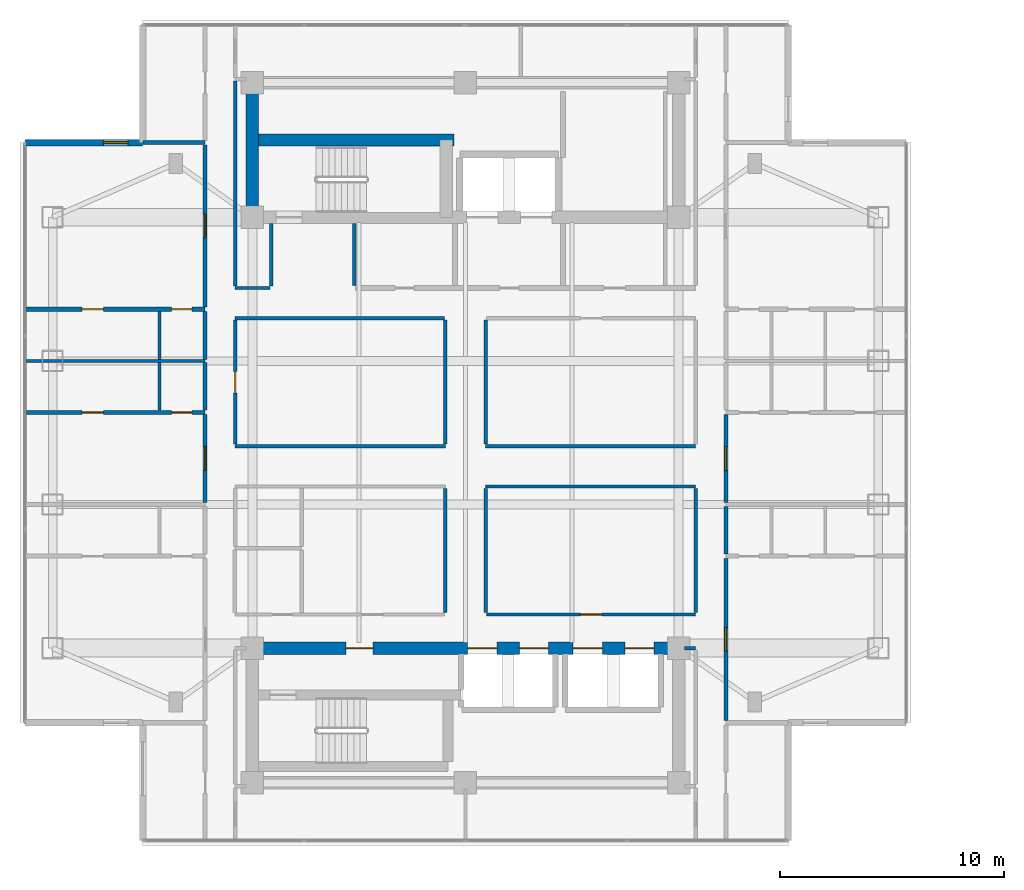
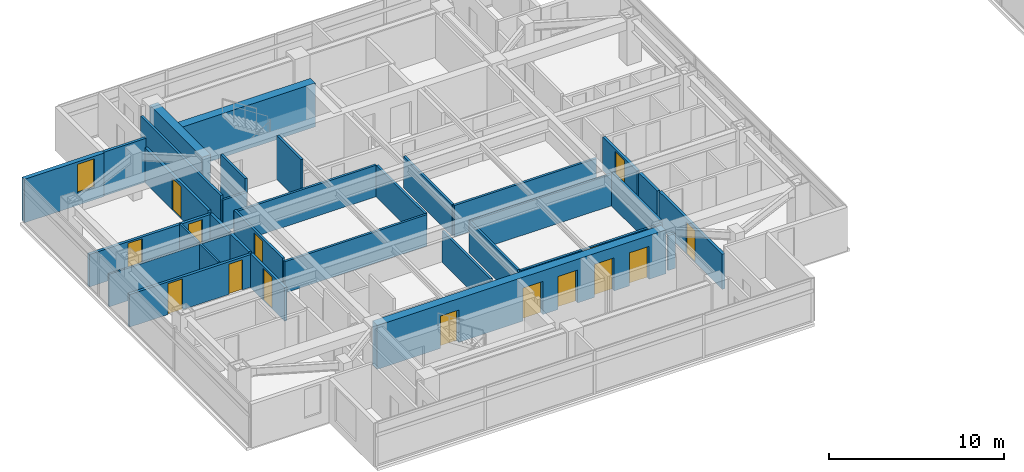
# One storey, part 13 of 24: 33 walls, 15 doors, 1 window, 16 openings.
"""IFC4 building model written with IfcOpenShell, lengths in metres."""

from ifc_helpers import new_model, si_unit, direction, frame, frame_2d, origin, place, context, subcontext, project, spatial, rectangle, extrude, material, layer, layer_set, type_object, element, fill, save


model = new_model("IFC4")

# Units and contexts
model_context = context("Model", 3, precision=1e-05, world=origin(), true_north=direction((0.0, 1.0)))
body_context = subcontext(model_context, "Body", "Model", "MODEL_VIEW")
ifc_project = project(units=[si_unit("LENGTHUNIT", "METRE"), si_unit("AREAUNIT", "SQUARE_METRE"), si_unit("VOLUMEUNIT", "CUBIC_METRE"), si_unit("PLANEANGLEUNIT", "RADIAN"), si_unit("MASSUNIT", "GRAM", prefix="KILO")], contexts=[model_context])

# Site, building, storey
site_placement = place(None, origin())
site = spatial("IfcSite", under=ifc_project, at=site_placement, CompositionType="ELEMENT")
building_placement = place(site_placement, origin())
building = spatial("IfcBuilding", under=site, at=building_placement, Name="Mirazonda Arch Towers", CompositionType="ELEMENT")
storey_placement = place(building_placement, frame((0.0, 0.0, 154.39990234375)))
storey = spatial("IfcBuildingStorey", under=building, at=storey_placement, Name="L43", CompositionType="ELEMENT", Elevation=154.39990234375)

# Walls
ifc_material_1 = material(Name="Concrete C50/60", Category="concrete")
ifc_layer_1 = layer(ifc_material_1, 0.550048828125, Name="WALL-CORE-550")
ifc_layer_set_1 = layer_set([ifc_layer_1], Name="Concrete C50/60")
wall_type_1 = type_object("IfcWallType", Name="WALL-CORE-550", PredefinedType="SHEAR", material=ifc_layer_set_1)
wall_1_placement = place(storey_placement, frame((11.0, 37.60009765625, 0.0), z_axis=(0.0, 0.0, 1.0), x_axis=(0.0, 1.0, 0.0)))
element("IfcWall", 1, at=wall_1_placement, inside=storey, type_object=wall_type_1, Name="L43 T1N-W Core Shear Wall", PredefinedType="SHEAR", context=body_context, shape_type="SweptSolid", body=[
    extrude(rectangle(XDim=6.0, YDim=0.550048828125, at=frame_2d((3.0, 0.0))), origin(), (0.0, 0.0, 1.0), 3.050048828125),
])
wall_2_placement = place(storey_placement, frame((11.0, 41.04296875, 0.0), z_axis=(0.0, 0.0, 1.0), x_axis=(1.0, 0.0, 0.0)))
element("IfcWall", 2, at=wall_2_placement, inside=storey, type_object=wall_type_1, Name="L43 T1N-STN Core Shear Wall", PredefinedType="SHEAR", context=body_context, shape_type="SweptSolid", body=[
    extrude(rectangle(XDim=9.0, YDim=0.550048828125, at=frame_2d((4.5, 0.0))), origin(), (0.0, 0.0, 1.0), 3.050048828125),
])

# Wall, openings, doors
wall_3_placement = place(storey_placement, frame((11.0, 18.39990234375, 0.0), z_axis=(0.0, 0.0, 1.0), x_axis=(1.0, 0.0, 0.0)))
wall_3 = element("IfcWall", 3, at=wall_3_placement, inside=storey, type_object=wall_type_1, Name="L43 T1S-N Core Shear Wall", PredefinedType="SHEAR", context=body_context, shape_type="SweptSolid", body=[
    extrude(rectangle(XDim=19.0, YDim=0.550048828125, at=frame_2d((9.5, 0.0))), origin(), (0.0, 0.0, 1.0), 3.050048828125),
])
opening_1_placement = place(wall_3_placement, frame((4.175048828125, 0.0, 0.0)))
opening_1 = element("IfcOpeningElement", 4, at=opening_1_placement, cuts=wall_3, Name="Opening DR-117", PredefinedType="OPENING", context=body_context, shape_type="SweptSolid", body=[
    extrude(rectangle(XDim=1.199951171875, YDim=2.25, at=frame_2d((0.60009765625, 1.125))), frame((0.0, 0.284912109375, 0.0), z_axis=(0.0, -1.0, 0.0), x_axis=(1.0, 0.0, 0.0)), (0.0, 0.0, 1.0), 0.570068359375),
])
opening_2_placement = place(wall_3_placement, frame((9.60009765625, 0.0, 0.0)))
opening_2 = element("IfcOpeningElement", 5, at=opening_2_placement, cuts=wall_3, Name="Opening LD-111", PredefinedType="OPENING", context=body_context, shape_type="SweptSolid", body=[
    extrude(rectangle(XDim=1.300048828125, YDim=2.300048828125, at=frame_2d((0.64990234375, 1.14990234375))), frame((0.0, 0.284912109375, 0.0), z_axis=(0.0, -1.0, 0.0), x_axis=(1.0, 0.0, 0.0)), (0.0, 0.0, 1.0), 0.570068359375),
])
opening_3_placement = place(wall_3_placement, frame((11.89990234375, 0.0, 0.0)))
opening_3 = element("IfcOpeningElement", 6, at=opening_3_placement, cuts=wall_3, Name="Opening LD-111", PredefinedType="OPENING", context=body_context, shape_type="SweptSolid", body=[
    extrude(rectangle(XDim=1.300048828125, YDim=2.300048828125, at=frame_2d((0.64990234375, 1.14990234375))), frame((0.0, 0.284912109375, 0.0), z_axis=(0.0, -1.0, 0.0), x_axis=(1.0, 0.0, 0.0)), (0.0, 0.0, 1.0), 0.570068359375),
])
opening_4_placement = place(wall_3_placement, frame((14.300048828125, 0.0, 0.0)))
opening_4 = element("IfcOpeningElement", 7, at=opening_4_placement, cuts=wall_3, Name="Opening LD-111", PredefinedType="OPENING", context=body_context, shape_type="SweptSolid", body=[
    extrude(rectangle(XDim=1.300048828125, YDim=2.300048828125, at=frame_2d((0.64990234375, 1.14990234375))), frame((0.0, 0.284912109375, 0.0), z_axis=(0.0, -1.0, 0.0), x_axis=(1.0, 0.0, 0.0)), (0.0, 0.0, 1.0), 0.570068359375),
])
opening_5_placement = place(wall_3_placement, frame((16.60009765625, 0.0, 0.0)))
opening_5 = element("IfcOpeningElement", 8, at=opening_5_placement, cuts=wall_3, Name="Opening LD-111", PredefinedType="OPENING", context=body_context, shape_type="SweptSolid", body=[
    extrude(rectangle(XDim=1.300048828125, YDim=2.300048828125, at=frame_2d((0.64990234375, 1.14990234375))), frame((0.0, 0.284912109375, 0.0), z_axis=(0.0, -1.0, 0.0), x_axis=(1.0, 0.0, 0.0)), (0.0, 0.0, 1.0), 0.570068359375),
])
ifc_material_2 = material(Name="Architectural Brushed Steel S355", Category="steel")
door_type_1 = type_object("IfcDoorType", Name="DOOR-FFL-FD90-1200", OperationType="NOTDEFINED", PredefinedType="DOOR", material=ifc_material_2)
door_1_placement = place(opening_1_placement, origin())
door_1 = element("IfcDoor", 9, at=door_1_placement, inside=storey, type_object=door_type_1, Name="L43 South Core Stair & Lift Lobby Door", OperationType="SINGLE_SWING_RIGHT", OverallHeight=2.25, OverallWidth=1.199951171875, PredefinedType="DOOR", context=body_context, shape_type="SweptSolid", body=[
    extrude(rectangle(XDim=1.199951171875, YDim=2.25, at=frame_2d((0.60009765625, 1.125))), frame((0.0, 0.02490234375, 0.0), z_axis=(0.0, -1.0, 0.0), x_axis=(1.0, 0.0, 0.0)), (0.0, 0.0, 1.0), 0.050048828125),
])
fill(opening_1, door_1)
door_type_2 = type_object("IfcDoorType", Name="DOOR-LIFT-LAND-1300", OperationType="NOTDEFINED", PredefinedType="DOOR", material=ifc_material_2)
door_2_placement = place(opening_2_placement, origin())
door_2 = element("IfcDoor", 10, at=door_2_placement, inside=storey, type_object=door_type_2, Name="L43 Lift Landing Sliding Door PL-T1M1", OperationType="DOUBLE_DOOR_SLIDING", OverallHeight=2.300048828125, OverallWidth=1.300048828125, PredefinedType="DOOR", context=body_context, shape_type="SweptSolid", body=[
    extrude(rectangle(XDim=1.300048828125, YDim=2.300048828125, at=frame_2d((0.64990234375, 1.14990234375))), frame((0.0, 0.02490234375, 0.0), z_axis=(0.0, -1.0, 0.0), x_axis=(1.0, 0.0, 0.0)), (0.0, 0.0, 1.0), 0.050048828125),
])
fill(opening_2, door_2)
door_3_placement = place(opening_3_placement, origin())
door_3 = element("IfcDoor", 11, at=door_3_placement, inside=storey, type_object=door_type_2, Name="L43 Lift Landing Sliding Door PL-T1M2", OperationType="DOUBLE_DOOR_SLIDING", OverallHeight=2.300048828125, OverallWidth=1.300048828125, PredefinedType="DOOR", context=body_context, shape_type="SweptSolid", body=[
    extrude(rectangle(XDim=1.300048828125, YDim=2.300048828125, at=frame_2d((0.64990234375, 1.14990234375))), frame((0.0, 0.02490234375, 0.0), z_axis=(0.0, -1.0, 0.0), x_axis=(1.0, 0.0, 0.0)), (0.0, 0.0, 1.0), 0.050048828125),
])
fill(opening_3, door_3)
door_4_placement = place(opening_4_placement, origin())
door_4 = element("IfcDoor", 12, at=door_4_placement, inside=storey, type_object=door_type_2, Name="L43 Lift Landing Sliding Door PL-T1H1", OperationType="DOUBLE_DOOR_SLIDING", OverallHeight=2.300048828125, OverallWidth=1.300048828125, PredefinedType="DOOR", context=body_context, shape_type="SweptSolid", body=[
    extrude(rectangle(XDim=1.300048828125, YDim=2.300048828125, at=frame_2d((0.64990234375, 1.14990234375))), frame((0.0, 0.02490234375, 0.0), z_axis=(0.0, -1.0, 0.0), x_axis=(1.0, 0.0, 0.0)), (0.0, 0.0, 1.0), 0.050048828125),
])
fill(opening_4, door_4)
door_5_placement = place(opening_5_placement, origin())
door_5 = element("IfcDoor", 13, at=door_5_placement, inside=storey, type_object=door_type_2, Name="L43 Lift Landing Sliding Door PL-T1H2", OperationType="DOUBLE_DOOR_SLIDING", OverallHeight=2.300048828125, OverallWidth=1.300048828125, PredefinedType="DOOR", context=body_context, shape_type="SweptSolid", body=[
    extrude(rectangle(XDim=1.300048828125, YDim=2.300048828125, at=frame_2d((0.64990234375, 1.14990234375))), frame((0.0, 0.02490234375, 0.0), z_axis=(0.0, -1.0, 0.0), x_axis=(1.0, 0.0, 0.0)), (0.0, 0.0, 1.0), 0.050048828125),
])
fill(opening_5, door_5)

# Wall, opening, window
ifc_material_3 = material(Name="Precast Concrete C40/50", Category="concrete")
ifc_layer_2 = layer(ifc_material_3, 0.280029296875, Name="WALL-EXT-WALL-280")
ifc_layer_set_2 = layer_set([ifc_layer_2], Name="Precast Concrete C40/50")
wall_type_2 = type_object("IfcWallType", Name="WALL-EXT-WALL-280", PredefinedType="SOLIDWALL", material=ifc_layer_set_2)
wall_4_placement = place(storey_placement, frame((6.114990234375, 40.925048828125, 0.0), z_axis=(0.0, 0.0, 1.0), x_axis=(-1.0, 0.0, 0.0)))
wall_4 = element("IfcWall", 14, at=wall_4_placement, inside=storey, type_object=wall_type_2, Name="L43 T1 Corner Notch Return Wall WL-L43-T1-CNW1", PredefinedType="SOLIDWALL", context=body_context, shape_type="SweptSolid", body=[
    extrude(rectangle(XDim=5.244873046875, YDim=0.280029296875, at=frame_2d((2.62255859375, 0.0))), origin(), (0.0, 0.0, 1.0), 3.030029296875),
])
opening_6_placement = place(wall_4_placement, frame((0.64990234375, 0.0, 0.85009765625)))
opening_6 = element("IfcOpeningElement", 15, at=opening_6_placement, cuts=wall_4, Name="Opening WN-108", PredefinedType="OPENING", context=body_context, shape_type="SweptSolid", body=[
    extrude(rectangle(XDim=1.10009765625, YDim=2.0, at=frame_2d((0.550048828125, 1.0))), frame((0.0, 0.14990234375, 0.0), z_axis=(0.0, -1.0, 0.0), x_axis=(1.0, 0.0, 0.0)), (0.0, 0.0, 1.0), 0.300048828125),
])
ifc_material_4 = material(Name="Insulated Low-E Solar Glass", Category="glass")
window_type = type_object("IfcWindowType", Name="WIN-NOTCH-1100x2000", PartitioningType="SINGLE_PANEL", PredefinedType="WINDOW", material=ifc_material_4)
window_placement = place(opening_6_placement, origin())
window = element("IfcWindow", 16, at=window_placement, inside=storey, type_object=window_type, Name="L43 Punched Facade Window WN-L43-T1-CNW1", OverallHeight=2.0, OverallWidth=1.10009765625, PartitioningType="SINGLE_PANEL", PredefinedType="WINDOW", context=body_context, shape_type="SweptSolid", body=[
    extrude(rectangle(XDim=1.10009765625, YDim=2.0, at=frame_2d((0.550048828125, 1.0))), frame((0.0, 0.030029296875, 0.0), z_axis=(0.0, -1.0, 0.0), x_axis=(1.0, 0.0, 0.0)), (0.0, 0.0, 1.0), 0.06005859375),
])
fill(opening_6, window)

# Wall
ifc_material_5 = material(Name="Fire-Rated Gypsum Stud Partition")
ifc_layer_3 = layer(ifc_material_5, 0.14990234375, Name="WALL-PART-CORR-150")
ifc_layer_set_3 = layer_set([ifc_layer_3], Name="Fire-Rated Gypsum Stud Partition")
wall_type_3 = type_object("IfcWallType", Name="WALL-PART-CORR-150", PredefinedType="PARTITIONING", material=ifc_layer_set_3)
wall_5_placement = place(storey_placement, frame((30.27001953125, 18.39990234375, 0.0), z_axis=(0.0, 0.0, 1.0), x_axis=(1.0, 0.0, 0.0)))
element("IfcWall", 17, at=wall_5_placement, inside=storey, type_object=wall_type_3, Name="L43 Interior Partition 013", PredefinedType="PARTITIONING", context=body_context, shape_type="SweptSolid", body=[
    extrude(rectangle(XDim=0.489990234375, YDim=0.14990234375, at=frame_2d((0.2451171875, 0.0))), origin(), (0.0, 0.0, 1.0), 2.442138671875),
])

# Wall, opening, door
wall_6_placement = place(storey_placement, frame((21.43994140625, 19.89990234375, 0.0), z_axis=(0.0, 0.0, 1.0), x_axis=(1.0, 0.0, 0.0)))
wall_6 = element("IfcWall", 18, at=wall_6_placement, inside=storey, type_object=wall_type_3, Name="L43 Interior Partition 016", PredefinedType="PARTITIONING", context=body_context, shape_type="SweptSolid", body=[
    extrude(rectangle(XDim=9.320068359375, YDim=0.14990234375, at=frame_2d((4.66015625, 0.0))), origin(), (0.0, 0.0, 1.0), 2.18603515625),
])
opening_7_placement = place(wall_6_placement, frame((4.18505859375, 0.0, 0.0)))
opening_7 = element("IfcOpeningElement", 19, at=opening_7_placement, cuts=wall_6, Name="Opening DR-104", PredefinedType="OPENING", context=body_context, shape_type="SweptSolid", body=[
    extrude(rectangle(XDim=0.949951171875, YDim=2.14990234375, at=frame_2d((0.47509765625, 1.074951171875))), frame((0.0, 0.0849609375, 0.0), z_axis=(0.0, -1.0, 0.0), x_axis=(1.0, 0.0, 0.0)), (0.0, 0.0, 1.0), 0.169921875),
])
door_type_3 = type_object("IfcDoorType", Name="DOOR-ROOM-950", OperationType="NOTDEFINED", PredefinedType="DOOR", material=ifc_material_2)
door_6_placement = place(opening_7_placement, origin())
door_6 = element("IfcDoor", 20, at=door_6_placement, inside=storey, type_object=door_type_3, Name="L43 L43 South-East Cruciform Lounge Door", OperationType="SINGLE_SWING_RIGHT", OverallHeight=2.14990234375, OverallWidth=0.949951171875, PredefinedType="DOOR", context=body_context, shape_type="SweptSolid", body=[
    extrude(rectangle(XDim=0.949951171875, YDim=2.14990234375, at=frame_2d((0.47509765625, 1.074951171875))), frame((0.0, 0.02490234375, 0.0), z_axis=(0.0, -1.0, 0.0), x_axis=(1.0, 0.0, 0.0)), (0.0, 0.0, 1.0), 0.050048828125),
])
fill(opening_7, door_6)

# Walls
for number, where, z_axis, x_axis, name in (
    (21, (21.39990234375, 25.60009765625, 0.0), (0.0, 0.0, 1.0), (1.0, 0.0, 0.0), "L43 Interior Partition 030"),
    (22, (10.239990234375, 27.39990234375, 0.0), (0.0, 0.0, 1.0), (1.0, 0.0, 0.0), "L43 Interior Partition 033"),
    (23, (21.39990234375, 27.39990234375, 0.0), (0.0, 0.0, 1.0), (1.0, 0.0, 0.0), "L43 Interior Partition 034"),
):
    element("IfcWall", number, at=place(storey_placement, frame(where, z_axis=z_axis, x_axis=x_axis)), inside=storey, type_object=wall_type_3, Name=name, PredefinedType="PARTITIONING", context=body_context, shape_type="SweptSolid", body=[
        extrude(rectangle(XDim=9.360107421875, YDim=0.14990234375, at=frame_2d((4.68017578125, 0.0))), origin(), (0.0, 0.0, 1.0), 2.18603515625),
    ])
wall_7_placement = place(storey_placement, frame((10.239990234375, 33.10009765625, 0.0), z_axis=(0.0, 0.0, 1.0), x_axis=(1.0, 0.0, 0.0)))
element("IfcWall", 24, at=wall_7_placement, inside=storey, type_object=wall_type_3, Name="L43 Interior Partition 047", PredefinedType="PARTITIONING", context=body_context, shape_type="SweptSolid", body=[
    extrude(rectangle(XDim=9.320068359375, YDim=0.14990234375, at=frame_2d((4.66015625, 0.0))), origin(), (0.0, 0.0, 1.0), 2.18603515625),
])
wall_8_placement = place(storey_placement, frame((10.239990234375, 34.449951171875, 0.0), z_axis=(0.0, 0.0, 1.0), x_axis=(1.0, 0.0, 0.0)))
element("IfcWall", 25, at=wall_8_placement, inside=storey, type_object=wall_type_3, Name="L43 Interior Partition 051", PredefinedType="PARTITIONING", context=body_context, shape_type="SweptSolid", body=[
    extrude(rectangle(XDim=1.56005859375, YDim=0.14990234375, at=frame_2d((0.780029296875, 0.0))), origin(), (0.0, 0.0, 1.0), 2.18603515625),
])

# Wall, opening, door
wall_9_placement = place(storey_placement, frame((10.239990234375, 27.485107421875, 0.0), z_axis=(0.0, 0.0, 1.0), x_axis=(0.0, 1.0, 0.0)))
wall_9 = element("IfcWall", 26, at=wall_9_placement, inside=storey, type_object=wall_type_3, Name="L43 Interior Partition 079", PredefinedType="PARTITIONING", context=body_context, shape_type="SweptSolid", body=[
    extrude(rectangle(XDim=5.52978515625, YDim=0.14990234375, at=frame_2d((2.764892578125, 0.0))), origin(), (0.0, 0.0, 1.0), 2.34619140625),
])
opening_8_placement = place(wall_9_placement, frame((2.2900390625, 0.0, 0.0)))
opening_8 = element("IfcOpeningElement", 27, at=opening_8_placement, cuts=wall_9, Name="Opening DR-104", PredefinedType="OPENING", context=body_context, shape_type="SweptSolid", body=[
    extrude(rectangle(XDim=0.949951171875, YDim=2.14990234375, at=frame_2d((0.47509765625, 1.074951171875))), frame((0.0, 0.0849609375, 0.0), z_axis=(0.0, -1.0, 0.0), x_axis=(1.0, 0.0, 0.0)), (0.0, 0.0, 1.0), 0.169921875),
])
door_7_placement = place(opening_8_placement, origin())
door_7 = element("IfcDoor", 28, at=door_7_placement, inside=storey, type_object=door_type_3, Name="L43 L43 West Courtyard Reading Salon Door", OperationType="SINGLE_SWING_LEFT", OverallHeight=2.14990234375, OverallWidth=0.949951171875, PredefinedType="DOOR", context=body_context, shape_type="SweptSolid", body=[
    extrude(rectangle(XDim=0.949951171875, YDim=2.14990234375, at=frame_2d((0.47509765625, 1.074951171875))), frame((0.0, 0.02490234375, 0.0), z_axis=(0.0, -1.0, 0.0), x_axis=(1.0, 0.0, 0.0)), (0.0, 0.0, 1.0), 0.050048828125),
])
fill(opening_8, door_7)

# Walls
wall_10_placement = place(storey_placement, frame((10.239990234375, 34.534912109375, 0.0), z_axis=(0.0, 0.0, 1.0), x_axis=(0.0, 1.0, 0.0)))
element("IfcWall", 29, at=wall_10_placement, inside=storey, type_object=wall_type_3, Name="L43 Interior Partition 080", PredefinedType="PARTITIONING", context=body_context, shape_type="SweptSolid", body=[
    extrude(rectangle(XDim=9.130126953125, YDim=0.14990234375, at=frame_2d((4.56494140625, 0.0))), origin(), (0.0, 0.0, 1.0), 2.442138671875),
])
wall_11_placement = place(storey_placement, frame((11.85009765625, 34.534912109375, 0.0), z_axis=(0.0, 0.0, 1.0), x_axis=(0.0, 1.0, 0.0)))
element("IfcWall", 30, at=wall_11_placement, inside=storey, type_object=wall_type_3, Name="L43 Interior Partition 082", PredefinedType="PARTITIONING", context=body_context, shape_type="SweptSolid", body=[
    extrude(rectangle(XDim=2.795166015625, YDim=0.14990234375, at=frame_2d((1.3974609375, 0.0))), origin(), (0.0, 0.0, 1.0), 3.050048828125),
])
wall_12_placement = place(storey_placement, frame((15.550048828125, 34.570068359375, 0.0), z_axis=(0.0, 0.0, 1.0), x_axis=(0.0, 1.0, 0.0)))
element("IfcWall", 31, at=wall_12_placement, inside=storey, type_object=wall_type_3, Name="L43 Interior Partition 085", PredefinedType="PARTITIONING", context=body_context, shape_type="SweptSolid", body=[
    extrude(rectangle(XDim=2.760009765625, YDim=0.14990234375, at=frame_2d((1.3798828125, 0.0))), origin(), (0.0, 0.0, 1.0), 3.050048828125),
])
for number, where, z_axis, x_axis, name in (
    (32, (19.60009765625, 19.985107421875, 0.0), (0.0, 0.0, 1.0), (0.0, 1.0, 0.0), "L43 Interior Partition 086"),
    (33, (19.60009765625, 27.485107421875, 0.0), (0.0, 0.0, 1.0), (0.0, 1.0, 0.0), "L43 Interior Partition 087"),
    (34, (21.39990234375, 19.985107421875, 0.0), (0.0, 0.0, 1.0), (0.0, 1.0, 0.0), "L43 Interior Partition 094"),
    (35, (21.39990234375, 27.485107421875, 0.0), (0.0, 0.0, 1.0), (0.0, 1.0, 0.0), "L43 Interior Partition 095"),
):
    element("IfcWall", number, at=place(storey_placement, frame(where, z_axis=z_axis, x_axis=x_axis)), inside=storey, type_object=wall_type_3, Name=name, PredefinedType="PARTITIONING", context=body_context, shape_type="SweptSolid", body=[
        extrude(rectangle(XDim=5.52978515625, YDim=0.14990234375, at=frame_2d((2.764892578125, 0.0))), origin(), (0.0, 0.0, 1.0), 2.18603515625),
    ])
wall_13_placement = place(storey_placement, frame((30.760009765625, 19.985107421875, 0.0), z_axis=(0.0, 0.0, 1.0), x_axis=(0.0, 1.0, 0.0)))
element("IfcWall", 36, at=wall_13_placement, inside=storey, type_object=wall_type_3, Name="L43 Interior Partition 107", PredefinedType="PARTITIONING", context=body_context, shape_type="SweptSolid", body=[
    extrude(rectangle(XDim=5.52978515625, YDim=0.14990234375, at=frame_2d((2.764892578125, 0.0))), origin(), (0.0, 0.0, 1.0), 2.34619140625),
])

# Wall, openings, doors
ifc_material_6 = material(Name="Fire-Rated Gypsum Twin-Stud Assembly")
ifc_layer_4 = layer(ifc_material_6, 0.179931640625, Name="WALL-PART-DEMISE-180")
ifc_layer_set_4 = layer_set([ifc_layer_4], Name="Fire-Rated Gypsum Twin-Stud Assembly")
wall_type_4 = type_object("IfcWallType", Name="WALL-PART-DEMISE-180", PredefinedType="PARTITIONING", material=ifc_layer_set_4)
wall_14_placement = place(storey_placement, frame((0.8701171875, 28.89990234375, 0.0), z_axis=(0.0, 0.0, 1.0), x_axis=(1.0, 0.0, 0.0)))
wall_14 = element("IfcWall", 37, at=wall_14_placement, inside=storey, type_object=wall_type_4, Name="L43 Interior Partition 037", PredefinedType="PARTITIONING", context=body_context, shape_type="SweptSolid", body=[
    extrude(rectangle(XDim=8.02978515625, YDim=0.179931640625, at=frame_2d((4.014892578125, 0.0))), origin(), (0.0, 0.0, 1.0), 2.26904296875),
])
opening_9_placement = place(wall_14_placement, frame((2.5400390625, 0.0, 0.0)))
opening_9 = element("IfcOpeningElement", 38, at=opening_9_placement, cuts=wall_14, Name="Opening DR-104", PredefinedType="OPENING", context=body_context, shape_type="SweptSolid", body=[
    extrude(rectangle(XDim=0.949951171875, YDim=2.14990234375, at=frame_2d((0.47509765625, 1.074951171875))), frame((0.0, 0.099853515625, 0.0), z_axis=(0.0, -1.0, 0.0), x_axis=(1.0, 0.0, 0.0)), (0.0, 0.0, 1.0), 0.199951171875),
])
opening_10_placement = place(wall_14_placement, frame((6.5400390625, 0.0, 0.0)))
opening_10 = element("IfcOpeningElement", 39, at=opening_10_placement, cuts=wall_14, Name="Opening DR-120", PredefinedType="OPENING", context=body_context, shape_type="SweptSolid", body=[
    extrude(rectangle(XDim=0.89990234375, YDim=2.10009765625, at=frame_2d((0.449951171875, 1.050048828125))), frame((0.0, 0.099853515625, 0.0), z_axis=(0.0, -1.0, 0.0), x_axis=(1.0, 0.0, 0.0)), (0.0, 0.0, 1.0), 0.199951171875),
])
door_8_placement = place(opening_9_placement, origin())
door_8 = element("IfcDoor", 40, at=door_8_placement, inside=storey, type_object=door_type_3, Name="L43 Studio 2 Galley Kitchen Door", OperationType="SINGLE_SWING_LEFT", OverallHeight=2.14990234375, OverallWidth=0.949951171875, PredefinedType="DOOR", context=body_context, shape_type="SweptSolid", body=[
    extrude(rectangle(XDim=0.949951171875, YDim=2.14990234375, at=frame_2d((0.47509765625, 1.074951171875))), frame((0.0, 0.02490234375, 0.0), z_axis=(0.0, -1.0, 0.0), x_axis=(1.0, 0.0, 0.0)), (0.0, 0.0, 1.0), 0.050048828125),
])
fill(opening_9, door_8)
door_type_4 = type_object("IfcDoorType", Name="DOOR-WC-900", OperationType="NOTDEFINED", PredefinedType="DOOR", material=ifc_material_2)
door_9_placement = place(opening_10_placement, origin())
door_9 = element("IfcDoor", 41, at=door_9_placement, inside=storey, type_object=door_type_4, Name="L43 Studio 2 Bathroom Door", OperationType="SINGLE_SWING_RIGHT", OverallHeight=2.10009765625, OverallWidth=0.89990234375, PredefinedType="DOOR", context=body_context, shape_type="SweptSolid", body=[
    extrude(rectangle(XDim=0.89990234375, YDim=2.10009765625, at=frame_2d((0.449951171875, 1.050048828125))), frame((0.0, 0.02490234375, 0.0), z_axis=(0.0, -1.0, 0.0), x_axis=(1.0, 0.0, 0.0)), (0.0, 0.0, 1.0), 0.050048828125),
])
fill(opening_10, door_9)

wall_15_placement = place(storey_placement, frame((0.8701171875, 33.5, 0.0), z_axis=(0.0, 0.0, 1.0), x_axis=(1.0, 0.0, 0.0)))
wall_15 = element("IfcWall", 42, at=wall_15_placement, inside=storey, type_object=wall_type_4, Name="L43 Interior Partition 049", PredefinedType="PARTITIONING", context=body_context, shape_type="SweptSolid", body=[
    extrude(rectangle(XDim=8.02978515625, YDim=0.179931640625, at=frame_2d((4.014892578125, 0.0))), origin(), (0.0, 0.0, 1.0), 2.26904296875),
])
opening_11_placement = place(wall_15_placement, frame((2.5400390625, 0.0, 0.0)))
opening_11 = element("IfcOpeningElement", 43, at=opening_11_placement, cuts=wall_15, Name="Opening DR-104", PredefinedType="OPENING", context=body_context, shape_type="SweptSolid", body=[
    extrude(rectangle(XDim=0.949951171875, YDim=2.14990234375, at=frame_2d((0.47509765625, 1.074951171875))), frame((0.0, 0.099853515625, 0.0), z_axis=(0.0, -1.0, 0.0), x_axis=(1.0, 0.0, 0.0)), (0.0, 0.0, 1.0), 0.199951171875),
])
opening_12_placement = place(wall_15_placement, frame((6.5400390625, 0.0, 0.0)))
opening_12 = element("IfcOpeningElement", 44, at=opening_12_placement, cuts=wall_15, Name="Opening DR-120", PredefinedType="OPENING", context=body_context, shape_type="SweptSolid", body=[
    extrude(rectangle(XDim=0.89990234375, YDim=2.10009765625, at=frame_2d((0.449951171875, 1.050048828125))), frame((0.0, 0.099853515625, 0.0), z_axis=(0.0, -1.0, 0.0), x_axis=(1.0, 0.0, 0.0)), (0.0, 0.0, 1.0), 0.199951171875),
])
door_10_placement = place(opening_11_placement, origin())
door_10 = element("IfcDoor", 45, at=door_10_placement, inside=storey, type_object=door_type_3, Name="L43 Studio 3 Galley Kitchen Door", OperationType="SINGLE_SWING_RIGHT", OverallHeight=2.14990234375, OverallWidth=0.949951171875, PredefinedType="DOOR", context=body_context, shape_type="SweptSolid", body=[
    extrude(rectangle(XDim=0.949951171875, YDim=2.14990234375, at=frame_2d((0.47509765625, 1.074951171875))), frame((0.0, 0.02490234375, 0.0), z_axis=(0.0, -1.0, 0.0), x_axis=(1.0, 0.0, 0.0)), (0.0, 0.0, 1.0), 0.050048828125),
])
fill(opening_11, door_10)
door_11_placement = place(opening_12_placement, origin())
door_11 = element("IfcDoor", 46, at=door_11_placement, inside=storey, type_object=door_type_4, Name="L43 Studio 3 Bathroom Door", OperationType="SINGLE_SWING_LEFT", OverallHeight=2.10009765625, OverallWidth=0.89990234375, PredefinedType="DOOR", context=body_context, shape_type="SweptSolid", body=[
    extrude(rectangle(XDim=0.89990234375, YDim=2.10009765625, at=frame_2d((0.449951171875, 1.050048828125))), frame((0.0, 0.02490234375, 0.0), z_axis=(0.0, -1.0, 0.0), x_axis=(1.0, 0.0, 0.0)), (0.0, 0.0, 1.0), 0.050048828125),
])
fill(opening_12, door_11)

# Wall
wall_16_placement = place(storey_placement, frame((6.135009765625, 40.925048828125, 0.0), z_axis=(0.0, 0.0, 1.0), x_axis=(1.0, 0.0, 0.0)))
element("IfcWall", 47, at=wall_16_placement, inside=storey, type_object=wall_type_4, Name="L43 Interior Partition 060", PredefinedType="PARTITIONING", context=body_context, shape_type="SweptSolid", body=[
    extrude(rectangle(XDim=2.764892578125, YDim=0.179931640625, at=frame_2d((1.38232421875, 0.0))), origin(), (0.0, 0.0, 1.0), 3.050048828125),
])

# Wall, opening, door
wall_17_placement = place(storey_placement, frame((8.89990234375, 24.89990234375, 0.0), z_axis=(0.0, 0.0, 1.0), x_axis=(0.0, 1.0, 0.0)))
wall_17 = element("IfcWall", 48, at=wall_17_placement, inside=storey, type_object=wall_type_4, Name="L43 Interior Partition 070", PredefinedType="PARTITIONING", context=body_context, shape_type="SweptSolid", body=[
    extrude(rectangle(XDim=3.900146484375, YDim=0.179931640625, at=frame_2d((1.9501953125, 0.0))), origin(), (0.0, 0.0, 1.0), 2.34619140625),
])
opening_13_placement = place(wall_17_placement, frame((1.425048828125, 0.0, 0.0)))
opening_13 = element("IfcOpeningElement", 49, at=opening_13_placement, cuts=wall_17, Name="Opening DR-121", PredefinedType="OPENING", context=body_context, shape_type="SweptSolid", body=[
    extrude(rectangle(XDim=1.050048828125, YDim=2.199951171875, at=frame_2d((0.52490234375, 1.10009765625))), frame((0.0, 0.099853515625, 0.0), z_axis=(0.0, -1.0, 0.0), x_axis=(1.0, 0.0, 0.0)), (0.0, 0.0, 1.0), 0.199951171875),
])
door_type_5 = type_object("IfcDoorType", Name="DOOR-SUITE-FD60-1050", OperationType="NOTDEFINED", PredefinedType="DOOR", material=ifc_material_2)
door_12_placement = place(opening_13_placement, origin())
door_12 = element("IfcDoor", 50, at=door_12_placement, inside=storey, type_object=door_type_5, Name="L43 Studio Apartment 2 Living Salon Door", OperationType="SINGLE_SWING_RIGHT", OverallHeight=2.199951171875, OverallWidth=1.050048828125, PredefinedType="DOOR", context=body_context, shape_type="SweptSolid", body=[
    extrude(rectangle(XDim=1.050048828125, YDim=2.199951171875, at=frame_2d((0.52490234375, 1.10009765625))), frame((0.0, 0.02490234375, 0.0), z_axis=(0.0, -1.0, 0.0), x_axis=(1.0, 0.0, 0.0)), (0.0, 0.0, 1.0), 0.050048828125),
])
fill(opening_13, door_12)

# Walls
for number, where, z_axis, x_axis, name in (
    (51, (8.89990234375, 29.0, 0.0), (0.0, 0.0, 1.0), (0.0, 1.0, 0.0), "L43 Interior Partition 071"),
    (52, (8.89990234375, 31.2724609375, 0.0), (0.0, 0.0, 1.0), (0.0, 1.0, 0.0), "L43 Interior Partition 072"),
):
    element("IfcWall", number, at=place(storey_placement, frame(where, z_axis=z_axis, x_axis=x_axis)), inside=storey, type_object=wall_type_4, Name=name, PredefinedType="PARTITIONING", context=body_context, shape_type="SweptSolid", body=[
        extrude(rectangle(XDim=2.12744140625, YDim=0.179931640625, at=frame_2d((1.063720703125, 0.0))), origin(), (0.0, 0.0, 1.0), 2.34619140625),
    ])

# Wall, opening, door
wall_18_placement = place(storey_placement, frame((8.89990234375, 33.60009765625, 0.0), z_axis=(0.0, 0.0, 1.0), x_axis=(0.0, 1.0, 0.0)))
wall_18 = element("IfcWall", 53, at=wall_18_placement, inside=storey, type_object=wall_type_4, Name="L43 Interior Partition 073", PredefinedType="PARTITIONING", context=body_context, shape_type="SweptSolid", body=[
    extrude(rectangle(XDim=7.224853515625, YDim=0.179931640625, at=frame_2d((3.6123046875, 0.0))), origin(), (0.0, 0.0, 1.0), 2.442138671875),
])
opening_14_placement = place(wall_18_placement, frame((3.08740234375, 0.0, 0.0)))
opening_14 = element("IfcOpeningElement", 54, at=opening_14_placement, cuts=wall_18, Name="Opening DR-121", PredefinedType="OPENING", context=body_context, shape_type="SweptSolid", body=[
    extrude(rectangle(XDim=1.050048828125, YDim=2.199951171875, at=frame_2d((0.52490234375, 1.10009765625))), frame((0.0, 0.099853515625, 0.0), z_axis=(0.0, -1.0, 0.0), x_axis=(1.0, 0.0, 0.0)), (0.0, 0.0, 1.0), 0.199951171875),
])
door_13_placement = place(opening_14_placement, origin())
door_13 = element("IfcDoor", 55, at=door_13_placement, inside=storey, type_object=door_type_5, Name="L43 Studio Apartment 3 Living Salon Door", OperationType="SINGLE_SWING_LEFT", OverallHeight=2.199951171875, OverallWidth=1.050048828125, PredefinedType="DOOR", context=body_context, shape_type="SweptSolid", body=[
    extrude(rectangle(XDim=1.050048828125, YDim=2.199951171875, at=frame_2d((0.52490234375, 1.10009765625))), frame((0.0, 0.02490234375, 0.0), z_axis=(0.0, -1.0, 0.0), x_axis=(1.0, 0.0, 0.0)), (0.0, 0.0, 1.0), 0.050048828125),
])
fill(opening_14, door_13)

wall_19_placement = place(storey_placement, frame((32.10009765625, 15.175048828125, 0.0), z_axis=(0.0, 0.0, 1.0), x_axis=(0.0, 1.0, 0.0)))
wall_19 = element("IfcWall", 56, at=wall_19_placement, inside=storey, type_object=wall_type_4, Name="L43 Interior Partition 112", PredefinedType="PARTITIONING", context=body_context, shape_type="SweptSolid", body=[
    extrude(rectangle(XDim=7.224853515625, YDim=0.179931640625, at=frame_2d((3.6123046875, 0.0))), origin(), (0.0, 0.0, 1.0), 2.442138671875),
])
opening_15_placement = place(wall_19_placement, frame((3.08740234375, 0.0, 0.0)))
opening_15 = element("IfcOpeningElement", 57, at=opening_15_placement, cuts=wall_19, Name="Opening DR-121", PredefinedType="OPENING", context=body_context, shape_type="SweptSolid", body=[
    extrude(rectangle(XDim=1.050048828125, YDim=2.199951171875, at=frame_2d((0.52490234375, 1.10009765625))), frame((0.0, 0.099853515625, 0.0), z_axis=(0.0, -1.0, 0.0), x_axis=(1.0, 0.0, 0.0)), (0.0, 0.0, 1.0), 0.199951171875),
])
door_14_placement = place(opening_15_placement, origin())
door_14 = element("IfcDoor", 58, at=door_14_placement, inside=storey, type_object=door_type_5, Name="L43 Residence 1 Living & Dining Salon Door", OperationType="SINGLE_SWING_RIGHT", OverallHeight=2.199951171875, OverallWidth=1.050048828125, PredefinedType="DOOR", context=body_context, shape_type="SweptSolid", body=[
    extrude(rectangle(XDim=1.050048828125, YDim=2.199951171875, at=frame_2d((0.52490234375, 1.10009765625))), frame((0.0, 0.02490234375, 0.0), z_axis=(0.0, -1.0, 0.0), x_axis=(1.0, 0.0, 0.0)), (0.0, 0.0, 1.0), 0.050048828125),
])
fill(opening_15, door_14)

# Wall
wall_20_placement = place(storey_placement, frame((32.10009765625, 22.60009765625, 0.0), z_axis=(0.0, 0.0, 1.0), x_axis=(0.0, 1.0, 0.0)))
element("IfcWall", 59, at=wall_20_placement, inside=storey, type_object=wall_type_4, Name="L43 Interior Partition 113", PredefinedType="PARTITIONING", context=body_context, shape_type="SweptSolid", body=[
    extrude(rectangle(XDim=2.099853515625, YDim=0.179931640625, at=frame_2d((1.0498046875, 0.0))), origin(), (0.0, 0.0, 1.0), 2.34619140625),
])

# Wall, opening, door
wall_21_placement = place(storey_placement, frame((32.10009765625, 24.89990234375, 0.0), z_axis=(0.0, 0.0, 1.0), x_axis=(0.0, 1.0, 0.0)))
wall_21 = element("IfcWall", 60, at=wall_21_placement, inside=storey, type_object=wall_type_4, Name="L43 Interior Partition 114", PredefinedType="PARTITIONING", context=body_context, shape_type="SweptSolid", body=[
    extrude(rectangle(XDim=3.900146484375, YDim=0.179931640625, at=frame_2d((1.9501953125, 0.0))), origin(), (0.0, 0.0, 1.0), 2.34619140625),
])
opening_16_placement = place(wall_21_placement, frame((1.425048828125, 0.0, 0.0)))
opening_16 = element("IfcOpeningElement", 61, at=opening_16_placement, cuts=wall_21, Name="Opening DR-121", PredefinedType="OPENING", context=body_context, shape_type="SweptSolid", body=[
    extrude(rectangle(XDim=1.050048828125, YDim=2.199951171875, at=frame_2d((0.52490234375, 1.10009765625))), frame((0.0, 0.099853515625, 0.0), z_axis=(0.0, -1.0, 0.0), x_axis=(1.0, 0.0, 0.0)), (0.0, 0.0, 1.0), 0.199951171875),
])
door_15_placement = place(opening_16_placement, origin())
door_15 = element("IfcDoor", 62, at=door_15_placement, inside=storey, type_object=door_type_5, Name="L43 Residence 2 Living & Dining Salon Door", OperationType="SINGLE_SWING_RIGHT", OverallHeight=2.199951171875, OverallWidth=1.050048828125, PredefinedType="DOOR", context=body_context, shape_type="SweptSolid", body=[
    extrude(rectangle(XDim=1.050048828125, YDim=2.199951171875, at=frame_2d((0.52490234375, 1.10009765625))), frame((0.0, 0.02490234375, 0.0), z_axis=(0.0, -1.0, 0.0), x_axis=(1.0, 0.0, 0.0)), (0.0, 0.0, 1.0), 0.050048828125),
])
fill(opening_16, door_15)

# Walls
ifc_material_7 = material(Name="Acoustic Fire-Rated Gypsum Partition")
ifc_layer_5 = layer(ifc_material_7, 0.125, Name="WALL-PART-UNIT-125")
ifc_layer_set_5 = layer_set([ifc_layer_5], Name="Acoustic Fire-Rated Gypsum Partition")
wall_type_5 = type_object("IfcWallType", Name="WALL-PART-UNIT-125", PredefinedType="PARTITIONING", material=ifc_layer_set_5)
wall_22_placement = place(storey_placement, frame((0.8701171875, 31.199951171875, 0.0), z_axis=(0.0, 0.0, 1.0), x_axis=(1.0, 0.0, 0.0)))
element("IfcWall", 63, at=wall_22_placement, inside=storey, type_object=wall_type_5, Name="L43 Interior Partition 042", PredefinedType="PARTITIONING", context=body_context, shape_type="SweptSolid", body=[
    extrude(rectangle(XDim=8.02978515625, YDim=0.125, at=frame_2d((4.014892578125, 0.0))), origin(), (0.0, 0.0, 1.0), 2.26904296875),
])
for number, where, z_axis, x_axis, name in (
    (64, (6.860107421875, 29.0, 0.0), (0.0, 0.0, 1.0), (0.0, 1.0, 0.0), "L43 Interior Partition 065"),
    (65, (6.860107421875, 31.2724609375, 0.0), (0.0, 0.0, 1.0), (0.0, 1.0, 0.0), "L43 Interior Partition 066"),
):
    element("IfcWall", number, at=place(storey_placement, frame(where, z_axis=z_axis, x_axis=x_axis)), inside=storey, type_object=wall_type_5, Name=name, PredefinedType="PARTITIONING", context=body_context, shape_type="SweptSolid", body=[
        extrude(rectangle(XDim=2.12744140625, YDim=0.125, at=frame_2d((1.063720703125, 0.0))), origin(), (0.0, 0.0, 1.0), 2.34619140625),
    ])

save(model, "model.ifc")
